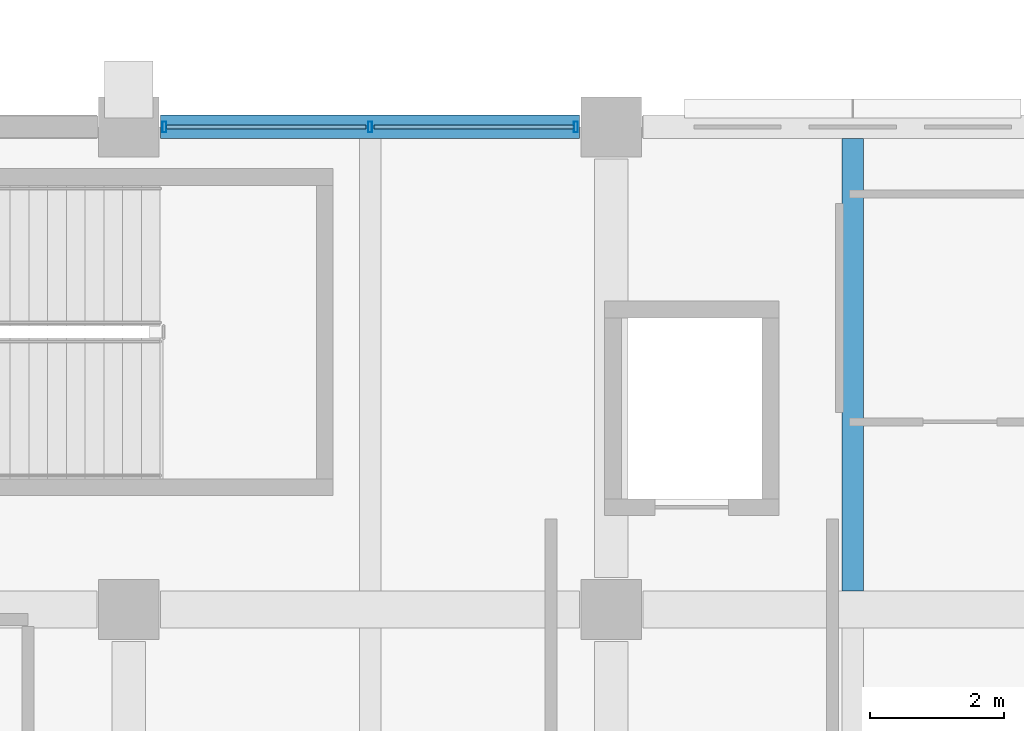
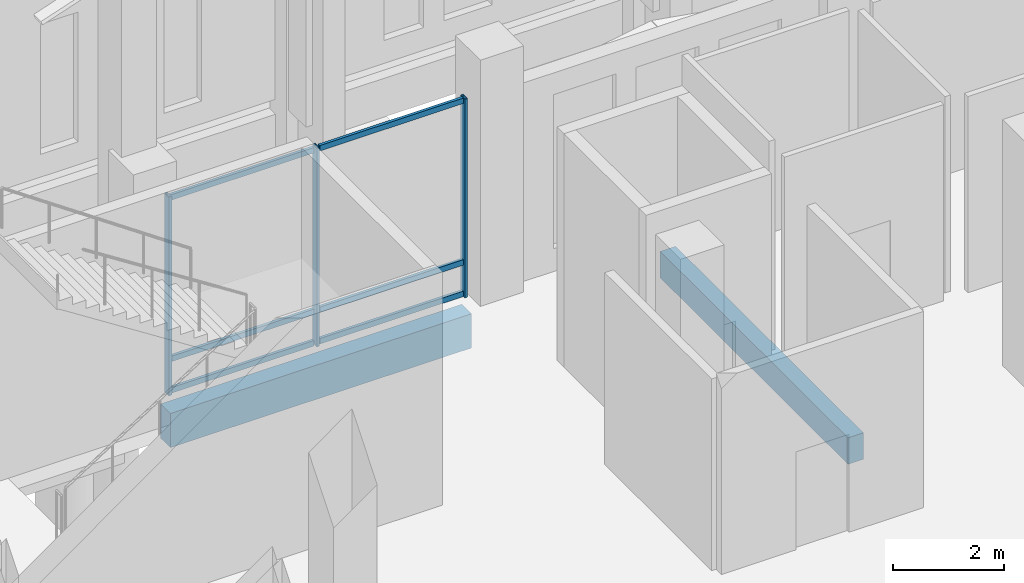
# One storey, part 95 of 192: 9 members, 2 beams, 1 element without a shape of its own.
"""IFC4 building model written with IfcOpenShell, lengths in metres."""

from ifc_helpers import new_model, si_unit, direction, frame, origin, origin_2d, place, context, subcontext, project, spatial, rectangle, hollow_rectangle, extrude, material, material_profile, profile_set, type_object, element, aggregate, save


model = new_model("IFC4")

# Units and contexts
model_context = context("Model", 3, precision=1e-05, world=origin(), true_north=direction((0.0, 1.0)))
body_context = subcontext(model_context, "Body", "Model", "MODEL_VIEW")
ifc_project = project(units=[si_unit("LENGTHUNIT", "METRE"), si_unit("AREAUNIT", "SQUARE_METRE"), si_unit("VOLUMEUNIT", "CUBIC_METRE"), si_unit("PLANEANGLEUNIT", "RADIAN"), si_unit("MASSUNIT", "GRAM", prefix="KILO")], contexts=[model_context])

# Site, building, storey
site_placement = place(None, origin())
site = spatial("IfcSite", under=ifc_project, at=site_placement, CompositionType="ELEMENT")
building_placement = place(site_placement, origin())
building = spatial("IfcBuilding", under=site, at=building_placement, Name="Cendralis Lancet Convention Centre", CompositionType="ELEMENT")
storey_placement = place(building_placement, origin())
storey = spatial("IfcBuildingStorey", under=building, at=storey_placement, Name="L00", CompositionType="ELEMENT", Elevation=0.0)

# Curtain wall, members
ifc_material_1 = material(Name="Anodised bronze architectural aluminium", Category="aluminium")
curtain_wall_type = type_object("IfcCurtainWallType", Name="ARC-CW-CL01", PredefinedType="USERDEFINED", material=ifc_material_1)
curtain_wall_placement = place(storey_placement, origin())
curtain_wall = element("IfcCurtainWall", 1, at=curtain_wall_placement, inside=storey, type_object=curtain_wall_type, Name="L00 Curtain Wall CW-CL1 #180", ObjectType="CURTAIN WALL", PredefinedType="USERDEFINED")
ifc_material_profile_1 = material_profile(ifc_material_1, hollow_rectangle(XDim=0.06005859375, YDim=0.159912109375, WallThickness=0.00390625, at=origin_2d()), Name="AL-MULL 60x160x4.0")
ifc_profile_set_1 = profile_set([ifc_material_profile_1], Name="Anodised bronze architectural aluminium")
member_type_1 = type_object("IfcMemberType", Name="ARC-CW-ML01", PredefinedType="MULLION", material=ifc_profile_set_1)
member_1_placement = place(storey_placement, frame((175.72998046875, 36.0, 0.0), z_axis=(0.0, 0.0, 1.0), x_axis=(1.0, 0.0, 0.0)))
member_1 = element("IfcMember", 2, at=member_1_placement, type_object=member_type_1, Name="Mullion CW2-CW-CL1-L00-180-M0", PredefinedType="MULLION", context=body_context, shape_type="SweptSolid", body=[
    extrude(hollow_rectangle(XDim=0.06005859375, YDim=0.159912109375, WallThickness=0.00390625, at=origin_2d()), origin(), (0.0, 0.0, 1.0), 4.35498046875),
])
member_2_placement = place(storey_placement, frame((178.800048828125, 36.0, 0.0), z_axis=(0.0, 0.0, 1.0), x_axis=(1.0, 0.0, 0.0)))
member_2 = element("IfcMember", 3, at=member_2_placement, type_object=member_type_1, Name="Mullion CW2-CW-CL1-L00-180-M1", PredefinedType="MULLION", context=body_context, shape_type="SweptSolid", body=[
    extrude(hollow_rectangle(XDim=0.06005859375, YDim=0.159912109375, WallThickness=0.00390625, at=origin_2d()), origin(), (0.0, 0.0, 1.0), 4.35498046875),
])
member_3_placement = place(storey_placement, frame((181.8701171875, 36.0, 0.0), z_axis=(0.0, 0.0, 1.0), x_axis=(1.0, 0.0, 0.0)))
member_3 = element("IfcMember", 4, at=member_3_placement, type_object=member_type_1, Name="Mullion CW2-CW-CL1-L00-180-M2", PredefinedType="MULLION", context=body_context, shape_type="SweptSolid", body=[
    extrude(hollow_rectangle(XDim=0.06005859375, YDim=0.159912109375, WallThickness=0.00390625, at=origin_2d()), origin(), (0.0, 0.0, 1.0), 4.35498046875),
])
ifc_material_profile_2 = material_profile(ifc_material_1, hollow_rectangle(XDim=0.06005859375, YDim=0.1201171875, WallThickness=0.00390625, at=origin_2d()), Name="AL-TRAN 60x120x4.0")
ifc_profile_set_2 = profile_set([ifc_material_profile_2], Name="Anodised bronze architectural aluminium")
member_type_2 = type_object("IfcMemberType", Name="ARC-CW-TR01", PredefinedType="USERDEFINED", material=ifc_profile_set_2)
member_4_placement = place(storey_placement, frame((175.760009765625, 36.0, 0.06005859375), z_axis=(1.0, 0.0, 0.0), x_axis=(0.0, 1.0, 0.0)))
member_4 = element("IfcMember", 5, at=member_4_placement, type_object=member_type_2, Name="Transom CW2-CW-CL1-L00-180-T0BOT", ObjectType="TRANSOM", PredefinedType="USERDEFINED", context=body_context, shape_type="SweptSolid", body=[
    extrude(hollow_rectangle(XDim=0.06005859375, YDim=0.1201171875, WallThickness=0.00390625, at=origin_2d()), origin(), (0.0, 0.0, 1.0), 2.97998046875),
])
member_5_placement = place(storey_placement, frame((175.760009765625, 36.0, 0.75), z_axis=(1.0, 0.0, 0.0), x_axis=(0.0, 1.0, 0.0)))
member_5 = element("IfcMember", 6, at=member_5_placement, type_object=member_type_2, Name="Transom CW2-CW-CL1-L00-180-T0MID", ObjectType="TRANSOM", PredefinedType="USERDEFINED", context=body_context, shape_type="SweptSolid", body=[
    extrude(hollow_rectangle(XDim=0.06005859375, YDim=0.1201171875, WallThickness=0.00390625, at=origin_2d()), origin(), (0.0, 0.0, 1.0), 2.97998046875),
])
member_6_placement = place(storey_placement, frame((175.760009765625, 36.0, 4.294921875), z_axis=(1.0, 0.0, 0.0), x_axis=(0.0, 1.0, 0.0)))
member_6 = element("IfcMember", 7, at=member_6_placement, type_object=member_type_2, Name="Transom CW2-CW-CL1-L00-180-T0TOP", ObjectType="TRANSOM", PredefinedType="USERDEFINED", context=body_context, shape_type="SweptSolid", body=[
    extrude(hollow_rectangle(XDim=0.06005859375, YDim=0.1201171875, WallThickness=0.00390625, at=origin_2d()), origin(), (0.0, 0.0, 1.0), 2.97998046875),
])
member_7_placement = place(storey_placement, frame((178.860107421875, 36.0, 0.06005859375), z_axis=(1.0, 0.0, 0.0), x_axis=(0.0, 1.0, 0.0)))
member_7 = element("IfcMember", 8, at=member_7_placement, type_object=member_type_2, Name="Transom CW2-CW-CL1-L00-180-T1BOT", ObjectType="TRANSOM", PredefinedType="USERDEFINED", context=body_context, shape_type="SweptSolid", body=[
    extrude(hollow_rectangle(XDim=0.06005859375, YDim=0.1201171875, WallThickness=0.00390625, at=origin_2d()), origin(), (0.0, 0.0, 1.0), 2.97998046875),
])
member_8_placement = place(storey_placement, frame((178.860107421875, 36.0, 0.75), z_axis=(1.0, 0.0, 0.0), x_axis=(0.0, 1.0, 0.0)))
member_8 = element("IfcMember", 9, at=member_8_placement, type_object=member_type_2, Name="Transom CW2-CW-CL1-L00-180-T1MID", ObjectType="TRANSOM", PredefinedType="USERDEFINED", context=body_context, shape_type="SweptSolid", body=[
    extrude(hollow_rectangle(XDim=0.06005859375, YDim=0.1201171875, WallThickness=0.00390625, at=origin_2d()), origin(), (0.0, 0.0, 1.0), 2.97998046875),
])
member_9_placement = place(storey_placement, frame((178.860107421875, 36.0, 4.294921875), z_axis=(1.0, 0.0, 0.0), x_axis=(0.0, 1.0, 0.0)))
member_9 = element("IfcMember", 10, at=member_9_placement, type_object=member_type_2, Name="Transom CW2-CW-CL1-L00-180-T1TOP", ObjectType="TRANSOM", PredefinedType="USERDEFINED", context=body_context, shape_type="SweptSolid", body=[
    extrude(hollow_rectangle(XDim=0.06005859375, YDim=0.1201171875, WallThickness=0.00390625, at=origin_2d()), origin(), (0.0, 0.0, 1.0), 2.97998046875),
])
aggregate(curtain_wall, [member_1, member_2, member_3, member_4, member_5, member_6, member_7, member_8, member_9])

# Beams
ifc_material_2 = material(Name="Concrete G35 (C35/45)", Category="concrete")
ifc_material_profile_3 = material_profile(ifc_material_2, rectangle(XDim=0.320068359375, YDim=0.580078125, at=origin_2d()), Name="RCB 320x580")
ifc_profile_set_3 = profile_set([ifc_material_profile_3], Name="Concrete G35 (C35/45)")
beam_type_1 = type_object("IfcBeamType", Name="STR-JS-BJ01", PredefinedType="JOIST", material=ifc_profile_set_3)
beam_1_placement = place(storey_placement, frame((186.0, 29.074951171875, -0.610107421875), z_axis=(0.0, 1.0, 0.0), x_axis=(-1.0, 0.0, 0.0)))
element("IfcBeam", 11, at=beam_1_placement, inside=storey, type_object=beam_type_1, Name="L00 Beam BJ01 #0119", PredefinedType="JOIST", context=body_context, shape_type="SweptSolid", body=[
    extrude(rectangle(XDim=0.320068359375, YDim=0.580078125, at=origin_2d()), origin(), (0.0, 0.0, 1.0), 6.75),
])
ifc_material_3 = material(Name="Concrete G40 (C40/50)", Category="concrete")
ifc_material_profile_4 = material_profile(ifc_material_3, rectangle(XDim=0.35009765625, YDim=0.75, at=origin_2d()), Name="RCB 350x750")
ifc_profile_set_4 = profile_set([ifc_material_profile_4], Name="Concrete G40 (C40/50)")
beam_type_2 = type_object("IfcBeamType", Name="STR-SP-SP01", PredefinedType="SPANDREL", material=ifc_profile_set_4)
beam_2_placement = place(storey_placement, frame((175.675048828125, 36.0, -0.695068359375), z_axis=(1.0, 0.0, 0.0), x_axis=(0.0, 1.0, 0.0)))
element("IfcBeam", 12, at=beam_2_placement, inside=storey, type_object=beam_type_2, Name="L00 Beam SP01 #0047", PredefinedType="SPANDREL", context=body_context, shape_type="SweptSolid", body=[
    extrude(rectangle(XDim=0.35009765625, YDim=0.75, at=origin_2d()), origin(), (0.0, 0.0, 1.0), 6.25),
])

save(model, "model.ifc")
